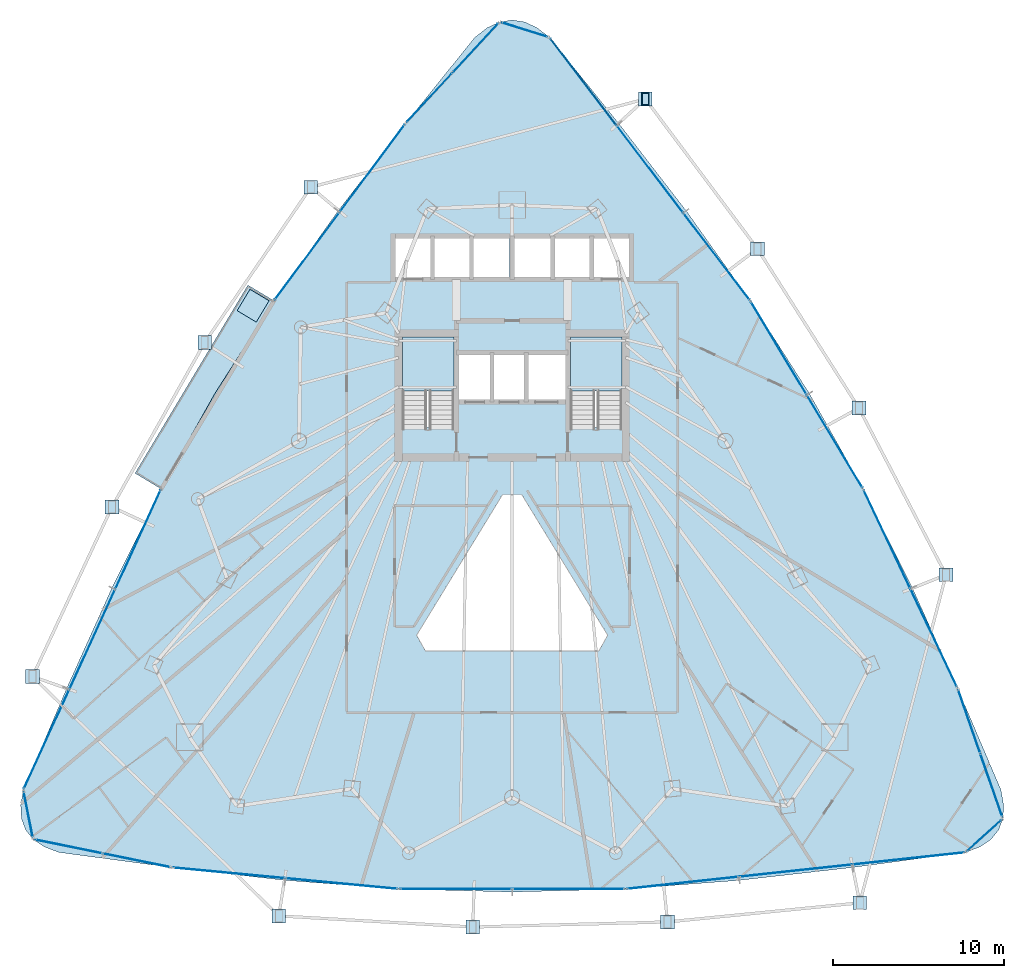
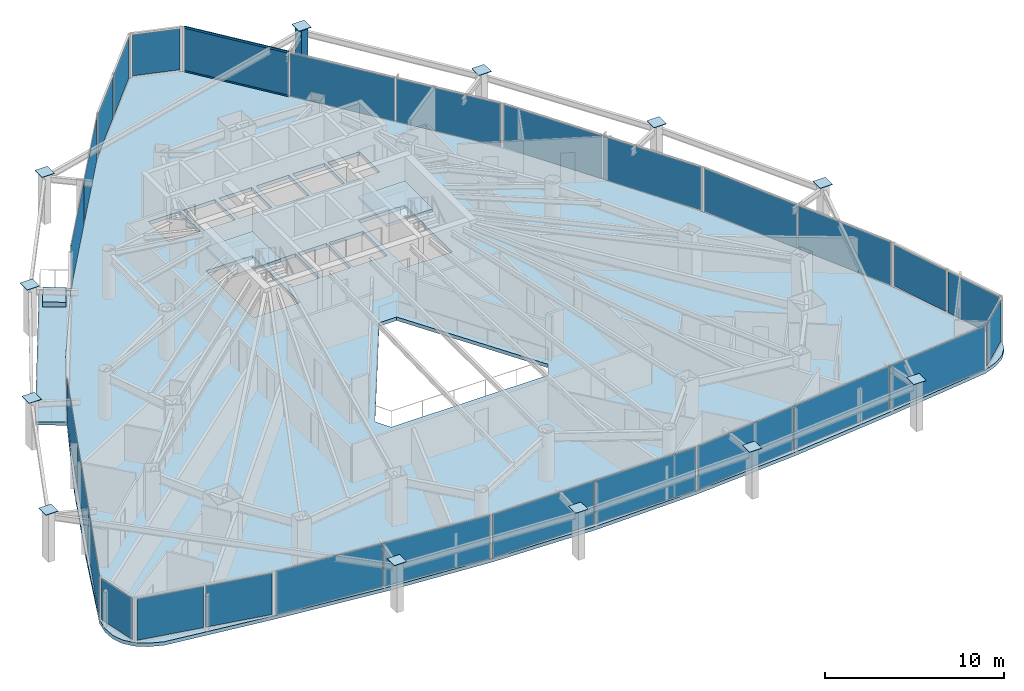
# One storey, part 31 of 38: 40 plates, 5 slabs, 3 members, 16 elements without a shape of their own.
"""IFC4 building model written with IfcOpenShell, lengths in metres."""

from ifc_helpers import new_model, si_unit, direction, frame, origin, origin_2d, place, context, subcontext, project, spatial, polyline, rectangle, hollow_rectangle, outline, extrude, material, layer, layer_set, material_profile, profile_set, type_object, element, aggregate, save


model = new_model("IFC4")

# Units and contexts
model_context = context("Model", 3, precision=1e-05, world=origin(), true_north=direction((0.0, 1.0)))
body_context = subcontext(model_context, "Body", "Model", "MODEL_VIEW")
ifc_project = project(units=[si_unit("LENGTHUNIT", "METRE"), si_unit("AREAUNIT", "SQUARE_METRE"), si_unit("VOLUMEUNIT", "CUBIC_METRE"), si_unit("PLANEANGLEUNIT", "RADIAN"), si_unit("MASSUNIT", "GRAM", prefix="KILO")], contexts=[model_context])

# Site, building, storey
site_placement = place(None, origin())
site = spatial("IfcSite", under=ifc_project, at=site_placement, CompositionType="ELEMENT")
building_placement = place(site_placement, origin())
building = spatial("IfcBuilding", under=site, at=building_placement, Name="Orvanel Arch Residences", CompositionType="ELEMENT")
storey_placement = place(building_placement, frame((0.0, 0.0, 50.0)))
storey = spatial("IfcBuildingStorey", under=building, at=storey_placement, Name="L13", CompositionType="ELEMENT", Elevation=50.0)

# Member
ifc_material_1 = material(Name="Structural steel AS/NZS 3678 Grade 350", Category="steel")
ifc_material_profile_1 = material_profile(ifc_material_1, hollow_rectangle(XDim=0.419921875, YDim=0.719970703125, WallThickness=0.02490234375, at=origin_2d()), Name="RHS720x420x25")
ifc_profile_set_1 = profile_set([ifc_material_profile_1], Name="Structural steel AS/NZS 3678 Grade 350")
member_type_1 = type_object("IfcMemberType", Name="CH-720RHS-EXT", PredefinedType="CHORD", material=ifc_profile_set_1)
member_1_placement = place(storey_placement, frame((40.76806640625, 47.58203125, 0.0), z_axis=(0.0, 0.0, 1.0), x_axis=(1.0, 0.0, 0.0)))
element("IfcMember", 1, at=member_1_placement, inside=storey, type_object=member_type_1, Name="L13 Outer Perimeter Frame Post 12", PredefinedType="CHORD", context=body_context, shape_type="SweptSolid", body=[
    extrude(hollow_rectangle(XDim=0.419921875, YDim=0.719970703125, WallThickness=0.02490234375, at=origin_2d()), origin(), (0.0, 0.0, 1.0), 3.300048828125),
])

# Curtain wall, members
ifc_material_2 = material(Name="Bronze-anodised aluminium AA6063-T6", Category="aluminium")
ifc_layer_1 = layer(ifc_material_2, 0.179931640625)
ifc_layer_set_1 = layer_set([ifc_layer_1], Name="Bronze-anodised aluminium AA6063-T6")
curtain_wall_type_1 = type_object("IfcCurtainWallType", Name="CW2-LOW-SYS", PredefinedType="NOTDEFINED", material=ifc_layer_set_1)
curtain_wall_1_placement = place(storey_placement, origin())
curtain_wall_1 = element("IfcCurtainWall", 2, at=curtain_wall_1_placement, inside=storey, type_object=curtain_wall_type_1, Name="L13 CW2-LOW-SYS Unitised Curtain Wall", PredefinedType="NOTDEFINED")
ifc_material_profile_2 = material_profile(ifc_material_2, hollow_rectangle(XDim=0.06005859375, YDim=0.135009765625, WallThickness=0.00390625, at=origin_2d()), Name="ALU135x60x4")
ifc_profile_set_2 = profile_set([ifc_material_profile_2], Name="Bronze-anodised aluminium AA6063-T6")
member_type_2 = type_object("IfcMemberType", Name="TRN-135x60", PredefinedType="USERDEFINED", material=ifc_profile_set_2)
member_2_placement = place(storey_placement, frame((39.068115234375, 46.072509765625, 0.030029296875), z_axis=(-0.606152651564, 0.795348328094, 0.0), x_axis=(-0.795348328094, -0.606152651564, 0.0)))
member_2 = element("IfcMember", 3, at=member_2_placement, type_object=member_type_2, Name="CW-S2 transom 3.1", ObjectType="TRANSOM", PredefinedType="USERDEFINED", context=body_context, shape_type="SweptSolid", body=[
    extrude(hollow_rectangle(XDim=0.06005859375, YDim=0.135009765625, WallThickness=0.00390625, at=origin_2d()), origin(), (0.0, 0.0, 1.0), 6.31787109375),
])
member_3_placement = place(storey_placement, frame((39.068115234375, 46.072509765625, 3.030029296875), z_axis=(-0.606152651564, 0.795348328094, 0.0), x_axis=(-0.795348328094, -0.606152651564, 0.0)))
member_3 = element("IfcMember", 4, at=member_3_placement, type_object=member_type_2, Name="CW-S2 transom 3.2", ObjectType="TRANSOM", PredefinedType="USERDEFINED", context=body_context, shape_type="SweptSolid", body=[
    extrude(hollow_rectangle(XDim=0.06005859375, YDim=0.135009765625, WallThickness=0.00390625, at=origin_2d()), origin(), (0.0, 0.0, 1.0), 6.31787109375),
])

# Plates
ifc_layer_2 = layer(ifc_material_1, 0.031982421875)
ifc_layer_set_2 = layer_set([ifc_layer_2], Name="Structural steel AS/NZS 3678 Grade 350")
plate_type_1 = type_object("IfcPlateType", Name="PL-CAP-32", PredefinedType="SHEET", material=ifc_layer_set_2)
for number, where, z_axis, x_axis, name in (
    (5, (21.259033203125, 42.43701171875, 3.2841796875), (0.0, 0.0, 1.0), (1.0, 0.0, 0.0), "L13 hollow member end cap plate"),
    (6, (15.06591796875, 33.3740234375, 3.2841796875), (0.0, 0.0, 1.0), (1.0, 0.0, 0.0), "L13 hollow member end cap plate"),
    (7, (9.658935546875, 23.784912109375, 3.2841796875), (0.0, 0.0, 1.0), (1.0, 0.0, 0.0), "L13 hollow member end cap plate"),
    (8, (5.029052734375, 13.90087890625, 3.2841796875), (0.0, 0.0, 1.0), (1.0, 0.0, 0.0), "L13 hollow member end cap plate"),
    (9, (19.39306640625, -0.06005859375, 3.2841796875), (0.0, 0.0, 1.0), (1.0, 0.0, 0.0), "L13 hollow member end cap plate"),
    (10, (30.7041015625, -0.7080078125, 3.2841796875), (0.0, 0.0, 1.0), (1.0, 0.0, 0.0), "L13 hollow member end cap plate"),
    (11, (42.06103515625, -0.412109375, 3.2841796875), (0.0, 0.0, 1.0), (1.0, 0.0, 0.0), "L13 hollow member end cap plate"),
    (12, (53.27587890625, 0.699951171875, 3.2841796875), (0.0, 0.0, 1.0), (1.0, 0.0, 0.0), "L13 hollow member end cap plate"),
    (13, (58.302978515625, 19.8291015625, 3.2841796875), (0.0, 0.0, 1.0), (1.0, 0.0, 0.0), "L13 hollow member end cap plate"),
    (14, (53.221923828125, 29.55908203125, 3.2841796875), (0.0, 0.0, 1.0), (1.0, 0.0, 0.0), "L13 hollow member end cap plate"),
    (15, (47.30810546875, 38.843017578125, 3.2841796875), (0.0, 0.0, 1.0), (1.0, 0.0, 0.0), "L13 hollow member end cap plate"),
    (16, (40.76806640625, 47.58203125, 3.2841796875), (0.0, 0.0, 1.0), (1.0, 0.0, 0.0), "L13 hollow member end cap plate"),
):
    element("IfcPlate", number, at=place(storey_placement, frame(where, z_axis=z_axis, x_axis=x_axis)), inside=storey, type_object=plate_type_1, Name=name, PredefinedType="SHEET", context=body_context, shape_type="SweptSolid", body=[
        extrude(rectangle(XDim=0.800048828125, YDim=0.800048828125, at=origin_2d()), origin(), (0.0, 0.0, 1.0), 0.031982421875),
    ])

# Curtain wall, plates
curtain_wall_2_placement = place(storey_placement, origin())
curtain_wall_2 = element("IfcCurtainWall", 17, at=curtain_wall_2_placement, inside=storey, type_object=curtain_wall_type_1, Name="L13 CW2-LOW-SYS Unitised Curtain Wall", PredefinedType="NOTDEFINED")
ifc_material_3 = material(Name="Double-glazed solar-control low-E safety glass", Category="glass")
ifc_layer_3 = layer(ifc_material_3, 0.028076171875)
ifc_layer_set_3 = layer_set([ifc_layer_3], Name="Double-glazed solar-control low-E safety glass")
plate_type_2 = type_object("IfcPlateType", Name="PNL-GLZ-28", PredefinedType="CURTAIN_PANEL", material=ifc_layer_set_3)
plate_1_placement = place(storey_placement, frame((24.8369140625, 43.53515625, 0.06005859375), z_axis=(0.0, 0.0, 1.0), x_axis=(-0.595483189714, -0.803367768067, 0.0)))
plate_1 = element("IfcPlate", 18, at=plate_1_placement, type_object=plate_type_2, Name="CW-S2 panel 1.1", PredefinedType="CURTAIN_PANEL", context=body_context, shape_type="SweptSolid", body=[
    extrude(rectangle(XDim=6.302490234375, YDim=0.028076171875, at=origin_2d()), origin(), (0.0, 0.0, 1.0), 2.93994140625),
])
plate_2_placement = place(storey_placement, frame((21.042236328125, 38.415771484375, 0.06005859375), z_axis=(0.0, 0.0, 1.0), x_axis=(-0.595483189714, -0.803367768067, 0.0)))
plate_2 = element("IfcPlate", 19, at=plate_2_placement, type_object=plate_type_2, Name="CW-S2 panel 2.1", PredefinedType="CURTAIN_PANEL", context=body_context, shape_type="SweptSolid", body=[
    extrude(rectangle(XDim=6.302490234375, YDim=0.028076171875, at=origin_2d()), origin(), (0.0, 0.0, 1.0), 2.93994140625),
])
aggregate(curtain_wall_2, [plate_1, plate_2])

curtain_wall_3_placement = place(storey_placement, origin())
curtain_wall_3 = element("IfcCurtainWall", 20, at=curtain_wall_3_placement, inside=storey, type_object=curtain_wall_type_1, Name="L13 CW2-LOW-SYS Unitised Curtain Wall", PredefinedType="NOTDEFINED")
plate_3_placement = place(storey_placement, frame((11.179443359375, 21.88720703125, 0.06005859375), z_axis=(0.0, 0.0, 1.0), x_axis=(-0.416374131092, -0.909193369398, 0.0)))
plate_3 = element("IfcPlate", 21, at=plate_3_placement, type_object=plate_type_2, Name="CW-S2 panel 1.1", PredefinedType="CURTAIN_PANEL", context=body_context, shape_type="SweptSolid", body=[
    extrude(rectangle(XDim=6.31787109375, YDim=0.028076171875, at=origin_2d()), origin(), (0.0, 0.0, 1.0), 2.93994140625),
])
plate_4_placement = place(storey_placement, frame((8.512451171875, 16.0634765625, 0.06005859375), z_axis=(0.0, 0.0, 1.0), x_axis=(-0.416374131092, -0.909193369398, 0.0)))
plate_4 = element("IfcPlate", 22, at=plate_4_placement, type_object=plate_type_2, Name="CW-S2 panel 2.1", PredefinedType="CURTAIN_PANEL", context=body_context, shape_type="SweptSolid", body=[
    extrude(rectangle(XDim=6.35302734375, YDim=0.028076171875, at=origin_2d()), origin(), (0.0, 0.0, 1.0), 2.93994140625),
])
plate_5_placement = place(storey_placement, frame((5.845458984375, 10.23974609375, 0.06005859375), z_axis=(0.0, 0.0, 1.0), x_axis=(-0.416374131092, -0.909193369398, 0.0)))
plate_5 = element("IfcPlate", 23, at=plate_5_placement, type_object=plate_type_2, Name="CW-S2 panel 3.1", PredefinedType="CURTAIN_PANEL", context=body_context, shape_type="SweptSolid", body=[
    extrude(rectangle(XDim=6.31787109375, YDim=0.028076171875, at=origin_2d()), origin(), (0.0, 0.0, 1.0), 2.93994140625),
])
aggregate(curtain_wall_3, [plate_3, plate_4, plate_5])

curtain_wall_4_placement = place(storey_placement, origin())
curtain_wall_4 = element("IfcCurtainWall", 24, at=curtain_wall_4_placement, inside=storey, type_object=curtain_wall_type_1, Name="L13 CW2-LOW-SYS Unitised Curtain Wall", PredefinedType="NOTDEFINED")
plate_6_placement = place(storey_placement, frame((16.499267578125, 2.4443359375, 0.06005859375), z_axis=(0.0, 0.0, 1.0), x_axis=(0.995548939355, -0.094246004419, 0.0)))
plate_6 = element("IfcPlate", 25, at=plate_6_placement, type_object=plate_type_2, Name="CW-S2 panel 1.1", PredefinedType="CURTAIN_PANEL", context=body_context, shape_type="SweptSolid", body=[
    extrude(rectangle(XDim=6.515869140625, YDim=0.028076171875, at=origin_2d()), origin(), (0.0, 0.0, 1.0), 2.93994140625),
])
plate_7_placement = place(storey_placement, frame((23.055908203125, 1.82373046875, 0.06005859375), z_axis=(0.0, 0.0, 1.0), x_axis=(0.995548939355, -0.094246004419, 0.0)))
plate_7 = element("IfcPlate", 26, at=plate_7_placement, type_object=plate_type_2, Name="CW-S2 panel 2.1", PredefinedType="CURTAIN_PANEL", context=body_context, shape_type="SweptSolid", body=[
    extrude(rectangle(XDim=6.515869140625, YDim=0.028076171875, at=origin_2d()), origin(), (0.0, 0.0, 1.0), 2.93994140625),
])
aggregate(curtain_wall_4, [plate_6, plate_7])

curtain_wall_5_placement = place(storey_placement, origin())
curtain_wall_5 = element("IfcCurtainWall", 27, at=curtain_wall_5_placement, inside=storey, type_object=curtain_wall_type_1, Name="L13 CW2-LOW-SYS Unitised Curtain Wall", PredefinedType="NOTDEFINED")
plate_8_placement = place(storey_placement, frame((29.721923828125, 1.508056640625, 0.06005859375), z_axis=(0.0, 0.0, 1.0), x_axis=(1.0, 0.0, 0.0)))
plate_8 = element("IfcPlate", 28, at=plate_8_placement, type_object=plate_type_2, Name="CW-S2 panel 1.1", PredefinedType="CURTAIN_PANEL", context=body_context, shape_type="SweptSolid", body=[
    extrude(rectangle(XDim=6.486083984375, YDim=0.028076171875, at=origin_2d()), origin(), (0.0, 0.0, 1.0), 2.93994140625),
])
plate_9_placement = place(storey_placement, frame((36.278076171875, 1.508056640625, 0.06005859375), z_axis=(0.0, 0.0, 1.0), x_axis=(1.0, 0.0, 0.0)))
plate_9 = element("IfcPlate", 29, at=plate_9_placement, type_object=plate_type_2, Name="CW-S2 panel 2.1", PredefinedType="CURTAIN_PANEL", context=body_context, shape_type="SweptSolid", body=[
    extrude(rectangle(XDim=6.486083984375, YDim=0.028076171875, at=origin_2d()), origin(), (0.0, 0.0, 1.0), 2.93994140625),
])
aggregate(curtain_wall_5, [plate_8, plate_9])

curtain_wall_6_placement = place(storey_placement, origin())
curtain_wall_6 = element("IfcCurtainWall", 30, at=curtain_wall_6_placement, inside=storey, type_object=curtain_wall_type_1, Name="L13 CW2-LOW-SYS Unitised Curtain Wall", PredefinedType="NOTDEFINED")
plate_10_placement = place(storey_placement, frame((42.947509765625, 1.867431640625, 0.06005859375), z_axis=(0.0, 0.0, 1.0), x_axis=(0.994243980851, 0.107139659052, 0.0)))
plate_10 = element("IfcPlate", 31, at=plate_10_placement, type_object=plate_type_2, Name="CW-S2 panel 1.1", PredefinedType="CURTAIN_PANEL", context=body_context, shape_type="SweptSolid", body=[
    extrude(rectangle(XDim=6.53125, YDim=0.028076171875, at=origin_2d()), origin(), (0.0, 0.0, 1.0), 2.93994140625),
])
plate_11_placement = place(storey_placement, frame((49.528076171875, 2.576416015625, 0.06005859375), z_axis=(0.0, 0.0, 1.0), x_axis=(0.994243980851, 0.107139659052, 0.0)))
plate_11 = element("IfcPlate", 32, at=plate_11_placement, type_object=plate_type_2, Name="CW-S2 panel 2.1", PredefinedType="CURTAIN_PANEL", context=body_context, shape_type="SweptSolid", body=[
    extrude(rectangle(XDim=6.566162109375, YDim=0.028076171875, at=origin_2d()), origin(), (0.0, 0.0, 1.0), 2.93994140625),
])
plate_12_placement = place(storey_placement, frame((56.108642578125, 3.28564453125, 0.06005859375), z_axis=(0.0, 0.0, 1.0), x_axis=(0.994243980851, 0.107139659052, 0.0)))
plate_12 = element("IfcPlate", 33, at=plate_12_placement, type_object=plate_type_2, Name="CW-S2 panel 3.1", PredefinedType="CURTAIN_PANEL", context=body_context, shape_type="SweptSolid", body=[
    extrude(rectangle(XDim=6.53125, YDim=0.028076171875, at=origin_2d()), origin(), (0.0, 0.0, 1.0), 2.93994140625),
])
aggregate(curtain_wall_6, [plate_10, plate_11, plate_12])

curtain_wall_7_placement = place(storey_placement, origin())
curtain_wall_7 = element("IfcCurtainWall", 34, at=curtain_wall_7_placement, inside=storey, type_object=curtain_wall_type_1, Name="L13 CW2-LOW-SYS Unitised Curtain Wall", PredefinedType="NOTDEFINED")
plate_13_placement = place(storey_placement, frame((57.5869140625, 16.154541015625, 0.06005859375), z_axis=(0.0, 0.0, 1.0), x_axis=(-0.42841841081, 0.903580469731, 0.0)))
plate_13 = element("IfcPlate", 35, at=plate_13_placement, type_object=plate_type_2, Name="CW-S2 panel 1.1", PredefinedType="CURTAIN_PANEL", context=body_context, shape_type="SweptSolid", body=[
    extrude(rectangle(XDim=6.30224609375, YDim=0.028076171875, at=origin_2d()), origin(), (0.0, 0.0, 1.0), 2.93994140625),
])
plate_14_placement = place(storey_placement, frame((54.85693359375, 21.912353515625, 0.06005859375), z_axis=(0.0, 0.0, 1.0), x_axis=(-0.42841841081, 0.903580469731, 0.0)))
plate_14 = element("IfcPlate", 36, at=plate_14_placement, type_object=plate_type_2, Name="CW-S2 panel 2.1", PredefinedType="CURTAIN_PANEL", context=body_context, shape_type="SweptSolid", body=[
    extrude(rectangle(XDim=6.30224609375, YDim=0.028076171875, at=origin_2d()), origin(), (0.0, 0.0, 1.0), 2.93994140625),
])
aggregate(curtain_wall_7, [plate_13, plate_14])

curtain_wall_8_placement = place(storey_placement, origin())
curtain_wall_8 = element("IfcCurtainWall", 37, at=curtain_wall_8_placement, inside=storey, type_object=curtain_wall_type_1, Name="L13 CW2-LOW-SYS Unitised Curtain Wall", PredefinedType="NOTDEFINED")
plate_15_placement = place(storey_placement, frame((51.80908203125, 27.607177734375, 0.06005859375), z_axis=(0.0, 0.0, 1.0), x_axis=(-0.514368910263, 0.857569020053, 0.0)))
plate_15 = element("IfcPlate", 38, at=plate_15_placement, type_object=plate_type_2, Name="CW-S2 panel 1.1", PredefinedType="CURTAIN_PANEL", context=body_context, shape_type="SweptSolid", body=[
    extrude(rectangle(XDim=6.271728515625, YDim=0.028076171875, at=origin_2d()), origin(), (0.0, 0.0, 1.0), 2.93994140625),
])
plate_16_placement = place(storey_placement, frame((48.547119140625, 33.045654296875, 0.06005859375), z_axis=(0.0, 0.0, 1.0), x_axis=(-0.514368910263, 0.857569020053, 0.0)))
plate_16 = element("IfcPlate", 39, at=plate_16_placement, type_object=plate_type_2, Name="CW-S2 panel 2.1", PredefinedType="CURTAIN_PANEL", context=body_context, shape_type="SweptSolid", body=[
    extrude(rectangle(XDim=6.271728515625, YDim=0.028076171875, at=origin_2d()), origin(), (0.0, 0.0, 1.0), 2.93994140625),
])
aggregate(curtain_wall_8, [plate_15, plate_16])

# Plate
plate_17_placement = place(storey_placement, frame((44.918701171875, 38.39599609375, 0.06005859375), z_axis=(0.0, 0.0, 1.0), x_axis=(-0.606168299009, 0.795336402585, 0.0)))
plate_17 = element("IfcPlate", 40, at=plate_17_placement, type_object=plate_type_2, Name="CW-S2 panel 1.1", PredefinedType="CURTAIN_PANEL", context=body_context, shape_type="SweptSolid", body=[
    extrude(rectangle(XDim=6.31787109375, YDim=0.028076171875, at=origin_2d()), origin(), (0.0, 0.0, 1.0), 2.93994140625),
])

plate_18_placement = place(storey_placement, frame((41.035888671875, 43.490478515625, 0.06005859375), z_axis=(0.0, 0.0, 1.0), x_axis=(-0.606168299009, 0.795336402585, 0.0)))
plate_18 = element("IfcPlate", 41, at=plate_18_placement, type_object=plate_type_2, Name="CW-S2 panel 2.1", PredefinedType="CURTAIN_PANEL", context=body_context, shape_type="SweptSolid", body=[
    extrude(rectangle(XDim=6.352783203125, YDim=0.028076171875, at=origin_2d()), origin(), (0.0, 0.0, 1.0), 2.93994140625),
])

plate_19_placement = place(storey_placement, frame((37.1533203125, 48.5849609375, 0.06005859375), z_axis=(0.0, 0.0, 1.0), x_axis=(-0.606168299009, 0.795336402585, 0.0)))
plate_19 = element("IfcPlate", 42, at=plate_19_placement, type_object=plate_type_2, Name="CW-S2 panel 3.1", PredefinedType="CURTAIN_PANEL", context=body_context, shape_type="SweptSolid", body=[
    extrude(rectangle(XDim=6.31787109375, YDim=0.028076171875, at=origin_2d()), origin(), (0.0, 0.0, 1.0), 2.93994140625),
])

aggregate(curtain_wall_1, [plate_17, plate_18, member_2, member_3, plate_19])

# Curtain wall, plate
ifc_layer_4 = layer(ifc_material_2, 0.18994140625)
ifc_layer_set_4 = layer_set([ifc_layer_4], Name="Bronze-anodised aluminium AA6063-T6")
curtain_wall_type_2 = type_object("IfcCurtainWallType", Name="CW5-CRN-SYS", PredefinedType="NOTDEFINED", material=ifc_layer_set_4)
curtain_wall_9_placement = place(storey_placement, origin())
curtain_wall_9 = element("IfcCurtainWall", 43, at=curtain_wall_9_placement, inside=storey, type_object=curtain_wall_type_2, Name="L13 CW5-CRN-SYS Unitised Curtain Wall", PredefinedType="NOTDEFINED")
ifc_layer_5 = layer(ifc_material_3, 0.031982421875)
ifc_layer_set_5 = layer_set([ifc_layer_5], Name="Double-glazed solar-control low-E safety glass")
plate_type_3 = type_object("IfcPlateType", Name="PNL-GLZ-32", PredefinedType="CURTAIN_PANEL", material=ifc_layer_set_5)
plate_20_placement = place(storey_placement, frame((33.72802734375, 51.6220703125, 0.1298828125), z_axis=(0.0, 0.0, 1.0), x_axis=(-0.954869341212, 0.297026162506, 0.0)))
plate_20 = element("IfcPlate", 44, at=plate_20_placement, type_object=plate_type_3, Name="CW-S5 panel 1.1", PredefinedType="CURTAIN_PANEL", context=body_context, shape_type="SweptSolid", body=[
    extrude(rectangle(XDim=2.709716796875, YDim=0.031982421875, at=origin_2d()), origin(), (0.0, 0.0, 1.0), 2.800048828125),
])
aggregate(curtain_wall_9, [plate_20])

# Curtain wall, plates
curtain_wall_10_placement = place(storey_placement, origin())
curtain_wall_10 = element("IfcCurtainWall", 45, at=curtain_wall_10_placement, inside=storey, type_object=curtain_wall_type_2, Name="L13 CW5-CRN-SYS Unitised Curtain Wall", PredefinedType="NOTDEFINED")
plate_21_placement = place(storey_placement, frame((30.86328125, 50.555908203125, 0.1298828125), z_axis=(0.0, 0.0, 1.0), x_axis=(-0.679974760262, -0.733235518375, 0.0)))
plate_21 = element("IfcPlate", 46, at=plate_21_placement, type_object=plate_type_3, Name="CW-S5 panel 1.1", PredefinedType="CURTAIN_PANEL", context=body_context, shape_type="SweptSolid", body=[
    extrude(rectangle(XDim=3.80224609375, YDim=0.031982421875, at=origin_2d()), origin(), (0.0, 0.0, 1.0), 2.800048828125),
])
plate_22_placement = place(storey_placement, frame((28.17578125, 47.657958984375, 0.1298828125), z_axis=(0.0, 0.0, 1.0), x_axis=(-0.679974760262, -0.733235518375, 0.0)))
plate_22 = element("IfcPlate", 47, at=plate_22_placement, type_object=plate_type_3, Name="CW-S5 panel 2.1", PredefinedType="CURTAIN_PANEL", context=body_context, shape_type="SweptSolid", body=[
    extrude(rectangle(XDim=3.80224609375, YDim=0.031982421875, at=origin_2d()), origin(), (0.0, 0.0, 1.0), 2.800048828125),
])
aggregate(curtain_wall_10, [plate_21, plate_22])

# Curtain wall, plate
curtain_wall_11_placement = place(storey_placement, origin())
curtain_wall_11 = element("IfcCurtainWall", 48, at=curtain_wall_11_placement, inside=storey, type_object=curtain_wall_type_2, Name="L13 CW5-CRN-SYS Unitised Curtain Wall", PredefinedType="NOTDEFINED")
plate_23_placement = place(storey_placement, frame((4.780029296875, 5.845947265625, 0.1298828125), z_axis=(0.0, 0.0, 1.0), x_axis=(0.195452010225, -0.980713266811, 0.0)))
plate_23 = element("IfcPlate", 49, at=plate_23_placement, type_object=plate_type_3, Name="CW-S5 panel 1.1", PredefinedType="CURTAIN_PANEL", context=body_context, shape_type="SweptSolid", body=[
    extrude(rectangle(XDim=2.595947265625, YDim=0.031982421875, at=origin_2d()), origin(), (0.0, 0.0, 1.0), 2.800048828125),
])
aggregate(curtain_wall_11, [plate_23])

# Curtain wall, plates
curtain_wall_12_placement = place(storey_placement, origin())
curtain_wall_12 = element("IfcCurtainWall", 50, at=curtain_wall_12_placement, inside=storey, type_object=curtain_wall_type_2, Name="L13 CW5-CRN-SYS Unitised Curtain Wall", PredefinedType="NOTDEFINED")
plate_24_placement = place(storey_placement, frame((7.138427734375, 3.985107421875, 0.1298828125), z_axis=(0.0, 0.0, 1.0), x_axis=(0.979963220769, -0.199178527808, 0.0)))
plate_24 = element("IfcPlate", 51, at=plate_24_placement, type_object=plate_type_3, Name="CW-S5 panel 1.1", PredefinedType="CURTAIN_PANEL", context=body_context, shape_type="SweptSolid", body=[
    extrude(rectangle(XDim=3.886962890625, YDim=0.031982421875, at=origin_2d()), origin(), (0.0, 0.0, 1.0), 2.800048828125),
])
plate_25_placement = place(storey_placement, frame((11.094482421875, 3.180908203125, 0.1298828125), z_axis=(0.0, 0.0, 1.0), x_axis=(0.979963220769, -0.199178527808, 0.0)))
plate_25 = element("IfcPlate", 52, at=plate_25_placement, type_object=plate_type_3, Name="CW-S5 panel 2.1", PredefinedType="CURTAIN_PANEL", context=body_context, shape_type="SweptSolid", body=[
    extrude(rectangle(XDim=3.886962890625, YDim=0.031982421875, at=origin_2d()), origin(), (0.0, 0.0, 1.0), 2.800048828125),
])
aggregate(curtain_wall_12, [plate_24, plate_25])

# Curtain wall, plate
curtain_wall_13_placement = place(storey_placement, origin())
curtain_wall_13 = element("IfcCurtainWall", 53, at=curtain_wall_13_placement, inside=storey, type_object=curtain_wall_type_2, Name="L13 CW5-CRN-SYS Unitised Curtain Wall", PredefinedType="NOTDEFINED")
plate_26_placement = place(storey_placement, frame((60.532470703125, 4.632080078125, 0.1298828125), z_axis=(0.0, 0.0, 1.0), x_axis=(0.740283535788, 0.672294791472, 0.0)))
plate_26 = element("IfcPlate", 54, at=plate_26_placement, type_object=plate_type_3, Name="CW-S5 panel 1.1", PredefinedType="CURTAIN_PANEL", context=body_context, shape_type="SweptSolid", body=[
    extrude(rectangle(XDim=2.59765625, YDim=0.031982421875, at=origin_2d()), origin(), (0.0, 0.0, 1.0), 2.800048828125),
])
aggregate(curtain_wall_13, [plate_26])

# Curtain wall, plates
curtain_wall_14_placement = place(storey_placement, origin())
curtain_wall_14 = element("IfcCurtainWall", 55, at=curtain_wall_14_placement, inside=storey, type_object=curtain_wall_type_2, Name="L13 CW5-CRN-SYS Unitised Curtain Wall", PredefinedType="NOTDEFINED")
plate_27_placement = place(storey_placement, frame((60.943115234375, 7.565673828125, 0.1298828125), z_axis=(0.0, 0.0, 1.0), x_axis=(-0.328220502288, 0.944601133748, 0.0)))
plate_27 = element("IfcPlate", 56, at=plate_27_placement, type_object=plate_type_3, Name="CW-S5 panel 1.1", PredefinedType="CURTAIN_PANEL", context=body_context, shape_type="SweptSolid", body=[
    extrude(rectangle(XDim=3.781494140625, YDim=0.031982421875, at=origin_2d()), origin(), (0.0, 0.0, 1.0), 2.800048828125),
])
plate_28_placement = place(storey_placement, frame((59.65283203125, 11.279296875, 0.1298828125), z_axis=(0.0, 0.0, 1.0), x_axis=(-0.328220502288, 0.944601133748, 0.0)))
plate_28 = element("IfcPlate", 57, at=plate_28_placement, type_object=plate_type_3, Name="CW-S5 panel 2.1", PredefinedType="CURTAIN_PANEL", context=body_context, shape_type="SweptSolid", body=[
    extrude(rectangle(XDim=3.781494140625, YDim=0.031982421875, at=origin_2d()), origin(), (0.0, 0.0, 1.0), 2.800048828125),
])
aggregate(curtain_wall_14, [plate_27, plate_28])

# Slab
ifc_material_4 = material(Name="Concrete N40 (40 MPa)", Category="concrete")
ifc_layer_6 = layer(ifc_material_4, 0.215087890625)
ifc_layer_set_6 = layer_set([ifc_layer_6], Name="Concrete N40 (40 MPa)")
slab_type_1 = type_object("IfcSlabType", Name="SLB-BAL-215", PredefinedType="FLOOR", material=ifc_layer_set_6)
slab_1_placement = place(storey_placement, frame((0.0, 0.0, -0.215087890625)))
element("IfcSlab", 58, at=slab_1_placement, inside=storey, type_object=slab_type_1, Name="L13 Cantilevered Balcony Slab Face 1", PredefinedType="FLOOR", context=body_context, shape_type="SweptSolid", body=[
    extrude(outline(polyline([(17.5859375, 36.72802734375), (11.0048828125, 25.757080078125), (12.531982421875, 24.841064453125), (15.6708984375, 30.4169921875), (19.112060546875, 35.81201171875), (17.5859375, 36.72802734375)])), origin(), (0.0, 0.0, 1.0), 0.215087890625),
])

# Stair, slab
ifc_material_5 = material(Name="Precast concrete N50 (50 MPa)", Category="concrete")
stair_type = type_object("IfcStairType", Name="STR-DOG-184", PredefinedType="USERDEFINED", material=ifc_material_5)
stair_1_placement = place(storey_placement, origin())
stair_1 = element("IfcStair", 59, at=stair_1_placement, inside=storey, type_object=stair_type, Name="L13 Fire-Isolated Core Exit Stair 1", ObjectType="TWO_RETURN_STAIR", PredefinedType="USERDEFINED")
ifc_layer_7 = layer(ifc_material_4, 0.199951171875)
ifc_layer_set_7 = layer_set([ifc_layer_7], Name="Concrete N40 (40 MPa)")
slab_type_2 = type_object("IfcSlabType", Name="SLB-LND-200", PredefinedType="LANDING", material=ifc_layer_set_7)
slab_2_placement = place(storey_placement, frame((0.0, 0.0, 1.449951171875)))
slab_2 = element("IfcSlab", 60, at=slab_2_placement, type_object=slab_type_2, Name="ST-1 landing 1", PredefinedType="LANDING", context=body_context, shape_type="SweptSolid", body=[
    extrude(outline(polyline([(29.60009765625, 30.56005859375), (29.60009765625, 33.699951171875), (26.60009765625, 33.699951171875), (26.60009765625, 30.56005859375), (29.60009765625, 30.56005859375)])), origin(), (0.0, 0.0, 1.0), 0.199951171875),
])
aggregate(stair_1, [slab_2])

stair_2_placement = place(storey_placement, origin())
stair_2 = element("IfcStair", 61, at=stair_2_placement, inside=storey, type_object=stair_type, Name="L13 Fire-Isolated Core Exit Stair 2", ObjectType="TWO_RETURN_STAIR", PredefinedType="USERDEFINED")
slab_3_placement = place(storey_placement, frame((0.0, 0.0, 1.449951171875)))
slab_3 = element("IfcSlab", 62, at=slab_3_placement, type_object=slab_type_2, Name="ST-2 landing 1", PredefinedType="LANDING", context=body_context, shape_type="SweptSolid", body=[
    extrude(outline(polyline([(39.39990234375, 30.56005859375), (39.39990234375, 33.699951171875), (36.39990234375, 33.699951171875), (36.39990234375, 30.56005859375), (39.39990234375, 30.56005859375)])), origin(), (0.0, 0.0, 1.0), 0.199951171875),
])
aggregate(stair_2, [slab_3])

# Slabs
ifc_material_6 = material(Name="Structural architectural precast concrete N40 (40 MPa) planter", Category="concrete")
ifc_layer_8 = layer(ifc_material_6, 0.320068359375)
ifc_layer_set_8 = layer_set([ifc_layer_8], Name="Structural architectural precast concrete N40 (40 MPa) planter")
slab_type_3 = type_object("IfcSlabType", Name="SLB-PLN-320", PredefinedType="USERDEFINED", material=ifc_layer_set_8)
slab_4_placement = place(storey_placement, origin())
element("IfcSlab", 63, at=slab_4_placement, inside=storey, type_object=slab_type_3, Name="L13 Balcony TREE PLANTER Face 1", ObjectType="PLANTER", PredefinedType="USERDEFINED", context=body_context, shape_type="SweptSolid", body=[
    extrude(outline(polyline([(17.7060546875, 36.48095703125), (16.9599609375, 35.237060546875), (18.074951171875, 34.569091796875), (18.821044921875, 35.81201171875), (17.7060546875, 36.48095703125)])), origin(), (0.0, 0.0, 1.0), 0.320068359375),
])
ifc_layer_9 = layer(ifc_material_4, 0.239990234375)
ifc_layer_set_9 = layer_set([ifc_layer_9], Name="Concrete N40 (40 MPa)")
slab_type_4 = type_object("IfcSlabType", Name="SLB-TYP-240", PredefinedType="FLOOR", material=ifc_layer_set_9)
slab_5_placement = place(storey_placement, frame((0.0, 0.0, -0.239990234375)))
element("IfcSlab", 64, at=slab_5_placement, inside=storey, type_object=slab_type_4, Name="L13 Tower Floor Slab", PredefinedType="FLOOR", context=body_context, shape_type="SweptSolid", body=[
    extrude(outline(polyline([(35.18408203125, 51.1689453125), (34.4560546875, 51.735107421875), (33.72802734375, 52.074951171875), (33.0, 52.18798828125), (32.27197265625, 52.074951171875), (31.5439453125, 51.735107421875), (30.81591796875, 51.1689453125), (26.76708984375, 46.138916015625), (22.8330078125, 41.0400390625), (19.112060546875, 35.81201171875), (15.6708984375, 30.4169921875), (12.531982421875, 24.841064453125), (9.6708984375, 19.097900390625), (7.02392578125, 13.22607421875), (4.492919921875, 7.285888671875), (4.3369140625, 6.39599609375), (4.3798828125, 5.618896484375), (4.6240234375, 4.9560546875), (5.06689453125, 4.406005859375), (5.7109375, 3.968994140625), (6.554931640625, 3.64501953125), (13.166015625, 2.760009765625), (19.777099609375, 2.010009765625), (26.388916015625, 1.508056640625), (33.0, 1.33203125), (39.611083984375, 1.508056640625), (46.222900390625, 2.010009765625), (52.833984375, 2.760009765625), (59.445068359375, 3.64501953125), (60.2890625, 3.968994140625), (60.93310546875, 4.406005859375), (61.3759765625, 4.9560546875), (61.6201171875, 5.618896484375), (61.6630859375, 6.39599609375), (61.507080078125, 7.285888671875), (58.97607421875, 13.22607421875), (56.3291015625, 19.097900390625), (53.468017578125, 24.841064453125), (50.3291015625, 30.4169921875), (46.887939453125, 35.81201171875), (43.1669921875, 41.0400390625), (39.23291015625, 46.138916015625), (35.18408203125, 51.1689453125)]), holes=[polyline([(26.60009765625, 28.429931640625), (26.60009765625, 33.699951171875), (29.60009765625, 33.699951171875), (29.60009765625, 28.429931640625), (26.60009765625, 28.429931640625)]), polyline([(36.39990234375, 28.429931640625), (36.39990234375, 33.699951171875), (39.39990234375, 33.699951171875), (39.39990234375, 28.429931640625), (36.39990234375, 28.429931640625)]), polyline([(29.89990234375, 32.64990234375), (31.75, 32.64990234375), (31.75, 29.949951171875), (29.89990234375, 29.949951171875), (29.89990234375, 32.64990234375)]), polyline([(31.89990234375, 32.64990234375), (33.75, 32.64990234375), (33.75, 29.949951171875), (31.89990234375, 29.949951171875), (31.89990234375, 32.64990234375)]), polyline([(33.89990234375, 32.64990234375), (36.10009765625, 32.64990234375), (36.10009765625, 29.949951171875), (33.89990234375, 29.949951171875), (33.89990234375, 32.64990234375)]), polyline([(26.199951171875, 39.449951171875), (28.25, 39.449951171875), (28.25, 37.199951171875), (26.199951171875, 37.199951171875), (26.199951171875, 39.449951171875)]), polyline([(37.75, 39.449951171875), (39.800048828125, 39.449951171875), (39.800048828125, 37.199951171875), (37.75, 37.199951171875), (37.75, 39.449951171875)]), polyline([(28.449951171875, 39.449951171875), (30.5, 39.449951171875), (30.5, 37.199951171875), (28.449951171875, 37.199951171875), (28.449951171875, 39.449951171875)]), polyline([(35.5, 39.449951171875), (37.550048828125, 39.449951171875), (37.550048828125, 37.199951171875), (35.5, 37.199951171875), (35.5, 39.449951171875)]), polyline([(30.75, 39.449951171875), (32.85009765625, 39.449951171875), (32.85009765625, 37.199951171875), (30.75, 37.199951171875), (30.75, 39.449951171875)]), polyline([(33.14990234375, 39.449951171875), (35.25, 39.449951171875), (35.25, 37.199951171875), (33.14990234375, 37.199951171875), (33.14990234375, 39.449951171875)]), polyline([(38.572998046875, 16.30810546875), (38.054931640625, 15.384033203125), (27.945068359375, 15.384033203125), (27.427001953125, 16.30810546875), (32.43505859375, 24.5009765625), (33.56494140625, 24.5009765625), (38.572998046875, 16.30810546875)])]), origin(), (0.0, 0.0, 1.0), 0.239990234375),
])

save(model, "model.ifc")
